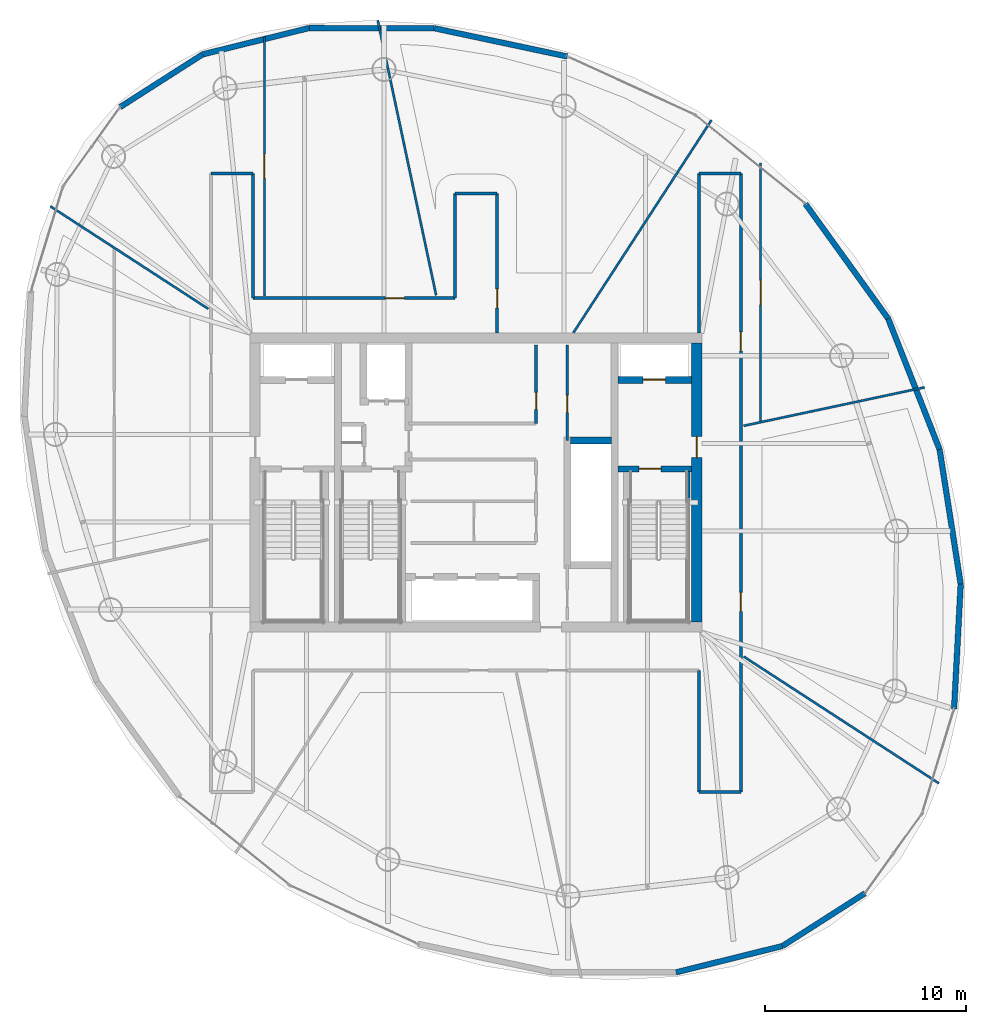
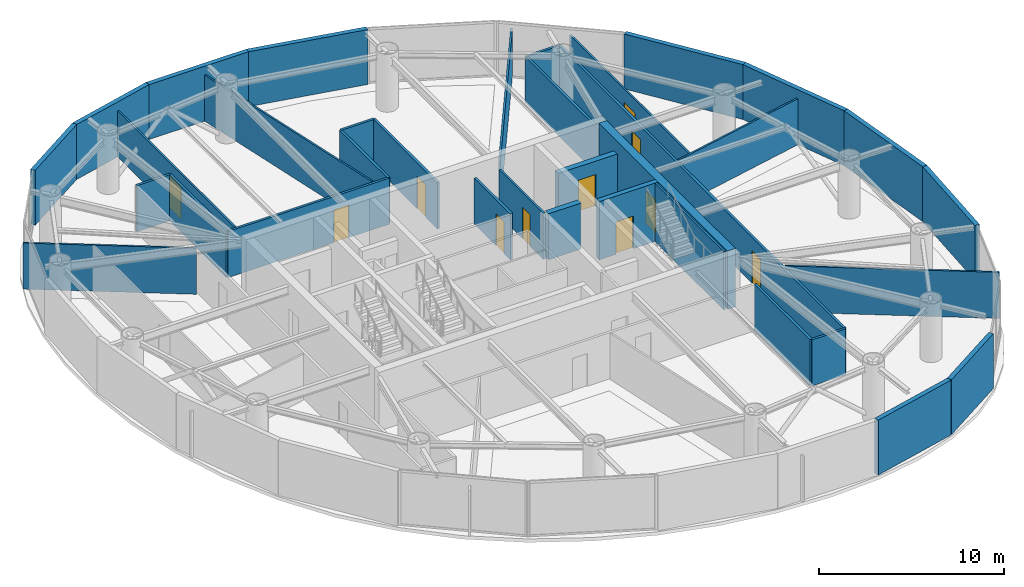
# One storey, part 14 of 19: 35 walls, 11 doors, 11 openings.
"""IFC4 building model written with IfcOpenShell, lengths in metres."""

import ifcopenshell
import ifcopenshell.guid

model = None  # the IFC model being written
_history = None  # IfcOwnerHistory: only IFC2X3 demands one
_inside = {}  # id of a spatial element -> (the spatial element, [elements in it])
_under = {}  # id of a project, library or spatial element -> (it, [spatial elements below it])
_declared = {}  # id of a project -> (the project, [libraries it declares])
_typed = {}  # id of a type object -> (the type object, [elements of that type])
_made_of = {}  # id of a material, layer set ... -> (it, [elements and type objects made of it])


def new_model(schema):
    """Start an empty IFC model of exactly this schema.

    Asked for "IFC4X3", IfcOpenShell would pick the latest addendum, in which some entities
    have other attributes; the version numbers below select the first issue.
    IFC2X3 requires an IfcOwnerHistory on every rooted entity: one is made here for all.
    """
    global model, _history
    if schema == "IFC4X3":
        model = ifcopenshell.file(schema_version=(4, 3, 0, 0))
    else:
        model = ifcopenshell.file(schema=schema)
    _inside.clear()
    _under.clear()
    _declared.clear()
    _typed.clear()
    _made_of.clear()
    _history = None
    if model.schema == "IFC2X3":
        org = make("IfcOrganization", Name="unknown")
        user = make(
            "IfcPersonAndOrganization",
            ThePerson=make("IfcPerson", FamilyName="unknown"),
            TheOrganization=org,
        )
        app = make(
            "IfcApplication",
            ApplicationDeveloper=org,
            Version="unknown",
            ApplicationFullName="unknown",
            ApplicationIdentifier="unknown",
        )
        _history = make(
            "IfcOwnerHistory",
            OwningUser=user,
            OwningApplication=app,
            ChangeAction="ADDED",
            CreationDate=0,
        )
    return model


def make(cls, **values):
    """One entity of the class cls with the attributes given. An attribute that is None is left unset."""
    return model.create_entity(
        cls, **{name: value for name, value in values.items() if value is not None}
    )


def rooted(cls, **values):
    """An entity with a GlobalId (a new one), such as an element, a storey or a relation."""
    return make(cls, GlobalId=ifcopenshell.guid.new(), OwnerHistory=_history, **values)


def si_unit(unit_type, name, prefix=None):
    """IfcSIUnit, for example si_unit("LENGTHUNIT", "METRE", prefix="MILLI")."""
    return make("IfcSIUnit", UnitType=unit_type, Prefix=prefix, Name=name)


def assignment(units):
    """IfcUnitAssignment: the units of a project."""
    return None if units is None else make("IfcUnitAssignment", Units=units)


def point(xyz):
    """IfcCartesianPoint."""
    return None if xyz is None else make("IfcCartesianPoint", Coordinates=xyz)


def direction(xyz):
    """IfcDirection."""
    return None if xyz is None else make("IfcDirection", DirectionRatios=xyz)


def frame(location, z_axis=None, x_axis=None):
    """IfcAxis2Placement3D, a coordinate frame: its origin and axes. An axis left out is left unset."""
    return make(
        "IfcAxis2Placement3D",
        Location=point(location),
        Axis=direction(z_axis),
        RefDirection=direction(x_axis),
    )


def frame_2d(location, x_axis=None):
    """IfcAxis2Placement2D, a coordinate frame in the plane: its origin and x axis."""
    return make(
        "IfcAxis2Placement2D", Location=point(location), RefDirection=direction(x_axis)
    )


def origin():
    """The frame at (0, 0, 0) with its axes left unset."""
    return frame((0.0, 0.0, 0.0))


def place(relative_to, where):
    """IfcLocalPlacement: puts the frame where relative to a parent placement (None: the world)."""
    return make(
        "IfcLocalPlacement", PlacementRelTo=relative_to, RelativePlacement=where
    )


def context(
    kind, dimensions, precision=None, world=None, true_north=None, identifier=None
):
    """IfcGeometricRepresentationContext, for example the 3D "Model" context."""
    return make(
        "IfcGeometricRepresentationContext",
        ContextIdentifier=identifier,
        ContextType=kind,
        CoordinateSpaceDimension=dimensions,
        Precision=precision,
        WorldCoordinateSystem=world,
        TrueNorth=true_north,
    )


def subcontext(parent, identifier, kind, view, scale=None):
    """IfcGeometricRepresentationSubContext, for example "Body" below "Model"."""
    return make(
        "IfcGeometricRepresentationSubContext",
        ContextIdentifier=identifier,
        ContextType=kind,
        ParentContext=parent,
        TargetScale=scale,
        TargetView=view,
    )


def project(units=None, contexts=None):
    """IfcProject with its units and contexts."""
    return rooted(
        "IfcProject",
        Name="project",
        RepresentationContexts=contexts,
        UnitsInContext=assignment(units),
    )


def spatial(cls, under=None, at=None, **own):
    """A site, building, storey or space (cls), placed at a placement, below another one or the project."""
    s = rooted(cls, ObjectPlacement=at, **own)
    if under is not None:
        _under.setdefault(under.id(), (under, []))[1].append(s)
    return s


def profile(cls, at=None, kind="AREA", **sizes):
    """A parametric profile (cls). Its sizes go by their IFC names, for example OverallWidth=200.0."""
    return make(cls, ProfileType=kind, Position=at, **sizes)


def rectangle(**sizes):
    """IfcRectangleProfileDef."""
    return profile("IfcRectangleProfileDef", **sizes)


def extrude(swept, where, along, depth):
    """IfcExtrudedAreaSolid: the profile swept, set in the frame where, extruded along a direction by depth."""
    return make(
        "IfcExtrudedAreaSolid",
        SweptArea=swept,
        Position=where,
        ExtrudedDirection=direction(along),
        Depth=depth,
    )


def shape(context_of_items, identifier, shape_type, items):
    """IfcShapeRepresentation: the items that make up one representation, for example the "Body"."""
    return make(
        "IfcShapeRepresentation",
        ContextOfItems=context_of_items,
        RepresentationIdentifier=identifier,
        RepresentationType=shape_type,
        Items=items,
    )


def material(Name=None, Category=None):
    """IfcMaterial."""
    return make("IfcMaterial", Name=Name, Category=Category)


def layer(
    of_material, thickness, ventilated=None, Name=None, Category=None, Priority=None
):
    """IfcMaterialLayer: one layer of a wall or slab, of a material (None: an air gap)."""
    return make(
        "IfcMaterialLayer",
        Material=of_material,
        LayerThickness=thickness,
        IsVentilated=ventilated,
        Name=Name,
        Category=Category,
        Priority=Priority,
    )


def layer_set(layers, Name=None):
    """IfcMaterialLayerSet."""
    return make("IfcMaterialLayerSet", MaterialLayers=layers, LayerSetName=Name)


def made_of(thing, what):
    """Note that an element or type object is made of a material, layer set ...; save() writes the relation."""
    if what is not None:
        _made_of.setdefault(what.id(), (what, []))[1].append(thing)
    return thing


def type_object(cls, material=None, **own):
    """A type object (cls), such as IfcWallType, which elements share."""
    return made_of(rooted(cls, **own), material)


def element(
    cls,
    number,
    at=None,
    inside=None,
    cuts=None,
    type_object=None,
    material=None,
    context=None,
    identifier="Body",
    shape_type=None,
    held_by="IfcProductDefinitionShape",
    body=None,
    shapes=None,
    **own,
):
    """One element of the class cls, such as IfcWall. Its Tag is "e" and its number.

    at: its placement. inside: the storey or other place that contains it. cuts: it is an
    opening in that element (IfcRelVoidsElement). A single representation is given by context,
    identifier, shape_type and body (its items); several are given by shapes. held_by: the class
    of the entity that holds the representations. save() writes the other relations.
    """
    e = rooted(cls, Tag="e%d" % number, ObjectPlacement=at, **own)
    if body is not None:
        shapes = [shape(context, identifier, shape_type, body)]
    if shapes is not None:
        e.Representation = make(held_by, Representations=shapes)
    if inside is not None:
        _inside.setdefault(inside.id(), (inside, []))[1].append(e)
    if cuts is not None:
        rooted(
            "IfcRelVoidsElement", RelatingBuildingElement=cuts, RelatedOpeningElement=e
        )
    if type_object is not None:
        _typed.setdefault(type_object.id(), (type_object, []))[1].append(e)
    return made_of(e, material)


def fill(opening, filler):
    """IfcRelFillsElement: the door or window that sits in an opening."""
    return rooted(
        "IfcRelFillsElement",
        RelatingOpeningElement=opening,
        RelatedBuildingElement=filler,
    )


def aggregate(whole, parts):
    """IfcRelAggregates: a whole, such as a stair, and the parts it consists of."""
    return rooted("IfcRelAggregates", RelatingObject=whole, RelatedObjects=parts)


def save(model, path):
    """Write the relations noted so far, then the file.

    IfcRelAggregates (storeys below a building ...), IfcRelContainedInSpatialStructure (elements
    in a storey), IfcRelDefinesByType, IfcRelAssociatesMaterial and IfcRelDeclares: one each for
    every whole, place, type object, material and project.
    """
    for whole, parts in _under.values():
        aggregate(whole, parts)
    for where, things in _inside.values():
        rooted(
            "IfcRelContainedInSpatialStructure",
            RelatedElements=things,
            RelatingStructure=where,
        )
    for kind, things in _typed.values():
        rooted("IfcRelDefinesByType", RelatedObjects=things, RelatingType=kind)
    for what, things in _made_of.values():
        rooted("IfcRelAssociatesMaterial", RelatedObjects=things, RelatingMaterial=what)
    for by, libraries in _declared.values():
        rooted("IfcRelDeclares", RelatingContext=by, RelatedDefinitions=libraries)
    model.write(path)


model = new_model("IFC4")

# Units and contexts
model_context = context("Model", 3, precision=1e-05, world=origin(), true_north=direction((0.0, 1.0)))
body_context = subcontext(model_context, "Body", "Model", "MODEL_VIEW")
ifc_project = project(units=[si_unit("LENGTHUNIT", "METRE"), si_unit("AREAUNIT", "SQUARE_METRE"), si_unit("VOLUMEUNIT", "CUBIC_METRE"), si_unit("PLANEANGLEUNIT", "RADIAN"), si_unit("MASSUNIT", "GRAM", prefix="KILO")], contexts=[model_context])

# Site, building, storey
site_placement = place(None, origin())
site = spatial("IfcSite", under=ifc_project, at=site_placement, CompositionType="ELEMENT")
building_placement = place(site_placement, origin())
building = spatial("IfcBuilding", under=site, at=building_placement, Name="Bramvorn Convention Spire", CompositionType="ELEMENT")
storey_placement = place(building_placement, frame((0.0, 0.0, 217.39990234375)))
storey = spatial("IfcBuildingStorey", under=building, at=storey_placement, Name="L55", CompositionType="ELEMENT", Elevation=217.39990234375)

# Wall, opening, door
ifc_material_1 = material(Name="Concrete C50/60", Category="concrete")
ifc_layer_1 = layer(ifc_material_1, 0.5)
ifc_layer_set_1 = layer_set([ifc_layer_1], Name="Concrete C50/60 - WL-CORE-500")
wall_type_1 = type_object("IfcWallType", Name="WL-CORE-500", PredefinedType="SHEAR", material=ifc_layer_set_1)
wall_1_placement = place(storey_placement, frame((49.0, 19.050048828125, 0.0), z_axis=(0.0, 0.0, 1.0), x_axis=(0.0, 1.0, 0.0)))
wall_1 = element("IfcWall", 1, at=wall_1_placement, inside=storey, type_object=wall_type_1, Name="L55 East RC core shear wall", PredefinedType="SHEAR", context=body_context, shape_type="SweptSolid", body=[
    extrude(rectangle(XDim=13.89990234375, YDim=0.5, at=frame_2d((6.949951171875, 0.0))), origin(), (0.0, 0.0, 1.0), 3.85009765625),
])
opening_1_placement = place(wall_1_placement, frame((8.199951171875, 0.0, 0.0)))
opening_1 = element("IfcOpeningElement", 2, at=opening_1_placement, cuts=wall_1, Name="Opening DL-105", PredefinedType="OPENING", context=body_context, shape_type="SweptSolid", body=[
    extrude(rectangle(XDim=1.050048828125, YDim=2.14990234375, at=frame_2d((0.52490234375, 1.074951171875))), frame((0.0, 0.260009765625, 0.0), z_axis=(0.0, -1.0, 0.0), x_axis=(1.0, 0.0, 0.0)), (0.0, 0.0, 1.0), 0.52001953125),
])
ifc_material_2 = material(Name="Smoke-Sealed Fire Lobby Timber-Core Door", Category="wood")
door_type_1 = type_object("IfcDoorType", Name="DR-LOBBY-1050", OperationType="NOTDEFINED", PredefinedType="DOOR", material=ifc_material_2)
door_1_placement = place(opening_1_placement, origin())
door_1 = element("IfcDoor", 3, at=door_1_placement, inside=storey, type_object=door_type_1, Name="L55 East Firefighting Lobby corridor door", OperationType="SINGLE_SWING_LEFT", OverallHeight=2.14990234375, OverallWidth=1.050048828125, PredefinedType="DOOR", context=body_context, shape_type="SweptSolid", body=[
    extrude(rectangle(XDim=1.050048828125, YDim=2.14990234375, at=frame_2d((0.52490234375, 1.074951171875))), frame((0.0, 0.02490234375, 0.0), z_axis=(0.0, -1.0, 0.0), x_axis=(1.0, 0.0, 0.0)), (0.0, 0.0, 1.0), 0.050048828125),
])
fill(opening_1, door_1)

ifc_layer_2 = layer(ifc_material_1, 0.35009765625)
ifc_layer_set_2 = layer_set([ifc_layer_2], Name="Concrete C50/60 - WL-CORE-INT-350")
wall_type_2 = type_object("IfcWallType", Name="WL-CORE-INT-350", PredefinedType="SHEAR", material=ifc_layer_set_2)
wall_2_placement = place(storey_placement, frame((45.080078125, 31.1201171875, 0.0), z_axis=(0.0, 0.0, 1.0), x_axis=(1.0, 0.0, 0.0)))
wall_2 = element("IfcWall", 4, at=wall_2_placement, inside=storey, type_object=wall_type_2, Name="L55 FE2 shaft front wall", PredefinedType="SHEAR", context=body_context, shape_type="SweptSolid", body=[
    extrude(rectangle(XDim=3.669921875, YDim=0.35009765625, at=frame_2d((1.8349609375, 0.0))), origin(), (0.0, 0.0, 1.0), 3.03515625),
])
opening_2_placement = place(wall_2_placement, frame((1.25, 0.0, 0.0)))
opening_2 = element("IfcOpeningElement", 5, at=opening_2_placement, cuts=wall_2, Name="Opening LD-110", PredefinedType="OPENING", context=body_context, shape_type="SweptSolid", body=[
    extrude(rectangle(XDim=1.10009765625, YDim=2.14990234375, at=frame_2d((0.550048828125, 1.074951171875))), frame((0.0, 0.18505859375, 0.0), z_axis=(0.0, -1.0, 0.0), x_axis=(1.0, 0.0, 0.0)), (0.0, 0.0, 1.0), 0.3701171875),
])
ifc_material_3 = material(Name="Firefighting & Service Lift Sliding Landing Door", Category="steel")
door_type_2 = type_object("IfcDoorType", Name="DR-LIFT-LD-1100", OperationType="NOTDEFINED", PredefinedType="DOOR", material=ifc_material_3)
door_2_placement = place(opening_2_placement, origin())
door_2 = element("IfcDoor", 6, at=door_2_placement, inside=storey, type_object=door_type_2, Name="L55 Lift FE2 Sliding Landing Door", OperationType="SLIDING_TO_LEFT", OverallHeight=2.14990234375, OverallWidth=1.10009765625, PredefinedType="DOOR", context=body_context, shape_type="SweptSolid", body=[
    extrude(rectangle(XDim=1.10009765625, YDim=2.14990234375, at=frame_2d((0.550048828125, 1.074951171875))), frame((0.0, 0.02490234375, 0.0), z_axis=(0.0, -1.0, 0.0), x_axis=(1.0, 0.0, 0.0)), (0.0, 0.0, 1.0), 0.050048828125),
])
fill(opening_2, door_2)

# Walls
wall_3_placement = place(storey_placement, frame((42.719970703125, 28.10009765625, 0.0), z_axis=(0.0, 0.0, 1.0), x_axis=(1.0, 0.0, 0.0)))
element("IfcWall", 7, at=wall_3_placement, inside=storey, type_object=wall_type_2, Name="L55 High-rise lift bank north wall", PredefinedType="SHEAR", context=body_context, shape_type="SweptSolid", body=[
    extrude(rectangle(XDim=2.030029296875, YDim=0.35009765625, at=frame_2d((1.01513671875, 0.0))), origin(), (0.0, 0.0, 1.0), 3.03515625),
])
ifc_material_4 = material(Name="Precast Concrete C40/50 with Bronze Terracotta Rainscreen", Category="masonry")
ifc_layer_3 = layer(ifc_material_4, 0.300048828125)
ifc_layer_set_3 = layer_set([ifc_layer_3], Name="Precast Concrete C40/50 with Bronze Terracotta Rainscreen - WL-EXT-BRONZE-300")
wall_type_3 = type_object("IfcWallType", Name="WL-EXT-BRONZE-300", PredefinedType="SOLIDWALL", material=ifc_layer_set_3)
wall_4_placement = place(storey_placement, frame((62.150634765625, 20.9462890625, 0.0), z_axis=(0.0, 0.0, 1.0), x_axis=(-0.052818148449, -0.998604147395, 0.0)))
element("IfcWall", 8, at=wall_4_placement, inside=storey, type_object=wall_type_3, Name="L55 expressed bronze Gothic lancet pier wall 03", PredefinedType="SOLIDWALL", context=body_context, shape_type="SweptSolid", body=[
    extrude(rectangle(XDim=6.226318359375, YDim=0.280029296875, at=frame_2d((3.11328125, 0.0))), origin(), (0.0, 0.0, 1.0), 3.6201171875),
])
wall_5_placement = place(storey_placement, frame((61.101318359375, 27.6494140625, 0.0), z_axis=(0.0, 0.0, 1.0), x_axis=(0.154657882949, -0.987968086145, 0.0)))
element("IfcWall", 9, at=wall_5_placement, inside=storey, type_object=wall_type_3, Name="L55 expressed bronze Gothic lancet pier wall 04", PredefinedType="SOLIDWALL", context=body_context, shape_type="SweptSolid", body=[
    extrude(rectangle(XDim=6.78466796875, YDim=0.280029296875, at=frame_2d((3.392333984375, 0.0))), origin(), (0.0, 0.0, 1.0), 3.6201171875),
])
wall_6_placement = place(storey_placement, frame((58.533935546875, 34.180419921875, 0.0), z_axis=(0.0, 0.0, 1.0), x_axis=(0.365853647231, -0.930672396071, 0.0)))
element("IfcWall", 10, at=wall_6_placement, inside=storey, type_object=wall_type_3, Name="L55 expressed bronze Gothic lancet pier wall 05", PredefinedType="SOLIDWALL", context=body_context, shape_type="SweptSolid", body=[
    extrude(rectangle(XDim=7.017578125, YDim=0.280029296875, at=frame_2d((3.5087890625, 0.0))), origin(), (0.0, 0.0, 1.0), 3.6201171875),
])
wall_7_placement = place(storey_placement, frame((54.412109375, 39.89453125, 0.0), z_axis=(0.0, 0.0, 1.0), x_axis=(0.585021079156, -0.811018086693, 0.0)))
element("IfcWall", 11, at=wall_7_placement, inside=storey, type_object=wall_type_3, Name="L55 expressed bronze Gothic lancet pier wall 06", PredefinedType="SOLIDWALL", context=body_context, shape_type="SweptSolid", body=[
    extrude(rectangle(XDim=7.045654296875, YDim=0.280029296875, at=frame_2d((3.52294921875, 0.0))), origin(), (0.0, 0.0, 1.0), 3.6201171875),
])
wall_8_placement = place(storey_placement, frame((35.910400390625, 48.646240234375, 0.0), z_axis=(0.0, 0.0, 1.0), x_axis=(0.978160131295, -0.207852730423, 0.0)))
element("IfcWall", 12, at=wall_8_placement, inside=storey, type_object=wall_type_3, Name="L55 expressed bronze Gothic lancet pier wall 09", PredefinedType="SOLIDWALL", context=body_context, shape_type="SweptSolid", body=[
    extrude(rectangle(XDim=6.784423828125, YDim=0.280029296875, at=frame_2d((3.39208984375, 0.0))), origin(), (0.0, 0.0, 1.0), 3.6201171875),
])
wall_9_placement = place(storey_placement, frame((29.683837890625, 48.654052734375, 0.0), z_axis=(0.0, 0.0, 1.0), x_axis=(0.999999212858, -0.001254704157, 0.0)))
element("IfcWall", 13, at=wall_9_placement, inside=storey, type_object=wall_type_3, Name="L55 expressed bronze Gothic lancet pier wall 10", PredefinedType="SOLIDWALL", context=body_context, shape_type="SweptSolid", body=[
    extrude(rectangle(XDim=6.2265625, YDim=0.280029296875, at=frame_2d((3.11328125, 0.0))), origin(), (0.0, 0.0, 1.0), 3.6201171875),
])
wall_10_placement = place(storey_placement, frame((24.37939453125, 47.341552734375, 0.0), z_axis=(0.0, 0.0, 1.0), x_axis=(0.970725742069, 0.240190619476, 0.0)))
element("IfcWall", 14, at=wall_10_placement, inside=storey, type_object=wall_type_3, Name="L55 expressed bronze Gothic lancet pier wall 11", PredefinedType="SOLIDWALL", context=body_context, shape_type="SweptSolid", body=[
    extrude(rectangle(XDim=5.46435546875, YDim=0.280029296875, at=frame_2d((2.732177734375, 0.0))), origin(), (0.0, 0.0, 1.0), 3.6201171875),
])
wall_11_placement = place(storey_placement, frame((20.2705078125, 44.715576171875, 0.0), z_axis=(0.0, 0.0, 1.0), x_axis=(0.842616747997, 0.538513710128, 0.0)))
element("IfcWall", 15, at=wall_11_placement, inside=storey, type_object=wall_type_3, Name="L55 expressed bronze Gothic lancet pier wall 12", PredefinedType="SOLIDWALL", context=body_context, shape_type="SweptSolid", body=[
    extrude(rectangle(XDim=4.876220703125, YDim=0.280029296875, at=frame_2d((2.43798828125, 0.0))), origin(), (0.0, 0.0, 1.0), 3.6201171875),
])
wall_12_placement = place(storey_placement, frame((53.271240234375, 2.916015625, 0.0), z_axis=(0.0, 0.0, 1.0), x_axis=(-0.970738734946, -0.240138102924, 0.0)))
element("IfcWall", 16, at=wall_12_placement, inside=storey, type_object=wall_type_3, Name="L55 expressed bronze Gothic lancet pier wall 23", PredefinedType="SOLIDWALL", context=body_context, shape_type="SweptSolid", body=[
    extrude(rectangle(XDim=5.464599609375, YDim=0.280029296875, at=frame_2d((2.732421875, 0.0))), origin(), (0.0, 0.0, 1.0), 3.6201171875),
])
wall_13_placement = place(storey_placement, frame((57.3798828125, 5.5419921875, 0.0), z_axis=(0.0, 0.0, 1.0), x_axis=(-0.842602227984, -0.538536429033, 0.0)))
element("IfcWall", 17, at=wall_13_placement, inside=storey, type_object=wall_type_3, Name="L55 expressed bronze Gothic lancet pier wall 24", PredefinedType="SOLIDWALL", context=body_context, shape_type="SweptSolid", body=[
    extrude(rectangle(XDim=4.876220703125, YDim=0.280029296875, at=frame_2d((2.43798828125, 0.0))), origin(), (0.0, 0.0, 1.0), 3.6201171875),
])
ifc_material_5 = material(Name="Lightweight En-Suite & Wet-Wall Partition", Category="gypsum")
ifc_layer_4 = layer(ifc_material_5, 0.110107421875)
ifc_layer_set_4 = layer_set([ifc_layer_4], Name="Lightweight En-Suite & Wet-Wall Partition - WL-PART-110")
wall_type_4 = type_object("IfcWallType", Name="WL-PART-110", PredefinedType="PARTITIONING", material=ifc_layer_set_4)
wall_14_placement = place(storey_placement, frame((51.340087890625, 28.83544921875, 0.0), z_axis=(0.0, 0.0, 1.0), x_axis=(0.978142366877, 0.207936312655, 0.0)))
element("IfcWall", 18, at=wall_14_placement, inside=storey, type_object=wall_type_4, Name="L55 Tenant suite partition 1", PredefinedType="PARTITIONING", context=body_context, shape_type="SweptSolid", body=[
    extrude(rectangle(XDim=9.223876953125, YDim=0.110107421875, at=frame_2d((4.61181640625, 0.0))), origin(), (0.0, 0.0, 1.0), 3.03515625),
])
wall_15_placement = place(storey_placement, frame((42.85107421875, 33.469970703125, 0.0), z_axis=(0.0, 0.0, 1.0), x_axis=(0.544631367438, 0.838675547278, 0.0)))
element("IfcWall", 19, at=wall_15_placement, inside=storey, type_object=wall_type_4, Name="L55 Tenant suite partition 2", PredefinedType="PARTITIONING", context=body_context, shape_type="SweptSolid", body=[
    extrude(rectangle(XDim=12.64599609375, YDim=0.110107421875, at=frame_2d((6.322998046875, 0.0))), origin(), (0.0, 0.0, 1.0), 3.03515625),
])
wall_16_placement = place(storey_placement, frame((36.0146484375, 35.340087890625, 0.0), z_axis=(0.0, 0.0, 1.0), x_axis=(-0.207905443256, 0.978148928673, 0.0)))
element("IfcWall", 20, at=wall_16_placement, inside=storey, type_object=wall_type_4, Name="L55 Tenant suite partition 3", PredefinedType="PARTITIONING", context=body_context, shape_type="SweptSolid", body=[
    extrude(rectangle(XDim=14.00927734375, YDim=0.110107421875, at=frame_2d((7.004638671875, 0.0))), origin(), (0.0, 0.0, 1.0), 3.03515625),
])
wall_17_placement = place(storey_placement, frame((24.659912109375, 34.6630859375, 0.0), z_axis=(0.0, 0.0, 1.0), x_axis=(-0.838674027819, 0.54463370724, 0.0)))
element("IfcWall", 21, at=wall_17_placement, inside=storey, type_object=wall_type_4, Name="L55 Tenant suite partition 4", PredefinedType="PARTITIONING", context=body_context, shape_type="SweptSolid", body=[
    extrude(rectangle(XDim=9.389892578125, YDim=0.110107421875, at=frame_2d((4.69482421875, 0.0))), origin(), (0.0, 0.0, 1.0), 3.03515625),
])
wall_18_placement = place(storey_placement, frame((51.340087890625, 17.3369140625, 0.0), z_axis=(0.0, 0.0, 1.0), x_axis=(0.838666550767, -0.544645220877, 0.0)))
element("IfcWall", 22, at=wall_18_placement, inside=storey, type_object=wall_type_4, Name="L55 Tenant suite partition 8", PredefinedType="PARTITIONING", context=body_context, shape_type="SweptSolid", body=[
    extrude(rectangle(XDim=11.605712890625, YDim=0.110107421875, at=frame_2d((5.802734375, 0.0))), origin(), (0.0, 0.0, 1.0), 3.03515625),
])

# Wall, opening, door
wall_19_placement = place(storey_placement, frame((52.1767578125, 29.03125, 0.0), z_axis=(0.0, 0.0, 1.0), x_axis=(0.0, 1.0, 0.0)))
wall_19 = element("IfcWall", 23, at=wall_19_placement, inside=storey, type_object=wall_type_4, Name="L55 Partner Office Chamber 1 inner suite partition", PredefinedType="PARTITIONING", context=body_context, shape_type="SweptSolid", body=[
    extrude(rectangle(XDim=12.894287109375, YDim=0.110107421875, at=frame_2d((6.447265625, 0.0))), origin(), (0.0, 0.0, 1.0), 3.03515625),
])
opening_3_placement = place(wall_19_placement, frame((5.84716796875, 0.0, 0.0)))
opening_3 = element("IfcOpeningElement", 24, at=opening_3_placement, cuts=wall_19, Name="Opening DSL-12", PredefinedType="OPENING", context=body_context, shape_type="SweptSolid", body=[
    extrude(rectangle(XDim=1.199951171875, YDim=2.14990234375, at=frame_2d((0.60009765625, 1.074951171875))), frame((0.0, 0.06494140625, 0.0), z_axis=(0.0, -1.0, 0.0), x_axis=(1.0, 0.0, 0.0)), (0.0, 0.0, 1.0), 0.130126953125),
])
ifc_material_6 = material(Name="Pocket Sliding Bronze-Framed Glass Suite Door", Category="glass")
door_type_3 = type_object("IfcDoorType", Name="DR-SLIDE-1200", OperationType="NOTDEFINED", PredefinedType="DOOR", material=ifc_material_6)
door_3_placement = place(opening_3_placement, origin())
door_3 = element("IfcDoor", 25, at=door_3_placement, inside=storey, type_object=door_type_3, Name="L55 Inner Suite 1 door", OperationType="SLIDING_TO_RIGHT", OverallHeight=2.14990234375, OverallWidth=1.199951171875, PredefinedType="DOOR", context=body_context, shape_type="SweptSolid", body=[
    extrude(rectangle(XDim=1.199951171875, YDim=2.14990234375, at=frame_2d((0.60009765625, 1.074951171875))), frame((0.0, 0.02490234375, 0.0), z_axis=(0.0, -1.0, 0.0), x_axis=(1.0, 0.0, 0.0)), (0.0, 0.0, 1.0), 0.050048828125),
])
fill(opening_3, door_3)

wall_20_placement = place(storey_placement, frame((27.461181640625, 35.300048828125, 0.0), z_axis=(0.0, 0.0, 1.0), x_axis=(0.0, 1.0, 0.0)))
wall_20 = element("IfcWall", 26, at=wall_20_placement, inside=storey, type_object=wall_type_4, Name="L55 Partner Office Chamber 3 inner suite partition", PredefinedType="PARTITIONING", context=body_context, shape_type="SweptSolid", body=[
    extrude(rectangle(XDim=12.94189453125, YDim=0.110107421875, at=frame_2d((6.470947265625, 0.0))), origin(), (0.0, 0.0, 1.0), 3.03515625),
])
opening_4_placement = place(wall_20_placement, frame((5.870849609375, 0.0, 0.0)))
opening_4 = element("IfcOpeningElement", 27, at=opening_4_placement, cuts=wall_20, Name="Opening DSL-12", PredefinedType="OPENING", context=body_context, shape_type="SweptSolid", body=[
    extrude(rectangle(XDim=1.199951171875, YDim=2.14990234375, at=frame_2d((0.60009765625, 1.074951171875))), frame((0.0, 0.06494140625, 0.0), z_axis=(0.0, -1.0, 0.0), x_axis=(1.0, 0.0, 0.0)), (0.0, 0.0, 1.0), 0.130126953125),
])
door_4_placement = place(opening_4_placement, origin())
door_4 = element("IfcDoor", 28, at=door_4_placement, inside=storey, type_object=door_type_3, Name="L55 Inner Suite 3 door", OperationType="SLIDING_TO_RIGHT", OverallHeight=2.14990234375, OverallWidth=1.199951171875, PredefinedType="DOOR", context=body_context, shape_type="SweptSolid", body=[
    extrude(rectangle(XDim=1.199951171875, YDim=2.14990234375, at=frame_2d((0.60009765625, 1.074951171875))), frame((0.0, 0.02490234375, 0.0), z_axis=(0.0, -1.0, 0.0), x_axis=(1.0, 0.0, 0.0)), (0.0, 0.0, 1.0), 0.050048828125),
])
fill(opening_4, door_4)

ifc_material_7 = material(Name="Metal-Stud Demountable Office Partition", Category="gypsum")
ifc_layer_5 = layer(ifc_material_7, 0.1298828125)
ifc_layer_set_5 = layer_set([ifc_layer_5], Name="Metal-Stud Demountable Office Partition - WL-PART-130")
wall_type_5 = type_object("IfcWallType", Name="WL-PART-130", PredefinedType="PARTITIONING", material=ifc_layer_set_5)
wall_21_placement = place(storey_placement, frame((42.550048828125, 28.10009765625, 0.0), z_axis=(0.0, 0.0, 1.0), x_axis=(0.0, 1.0, 0.0)))
wall_21 = element("IfcWall", 29, at=wall_21_placement, inside=storey, type_object=wall_type_5, Name="L55 KA NE IDF wall", PredefinedType="PARTITIONING", context=body_context, shape_type="SweptSolid", body=[
    extrude(rectangle(XDim=4.75, YDim=0.1298828125, at=frame_2d((2.375, 0.0))), origin(), (0.0, 0.0, 1.0), 3.03515625),
])
opening_5_placement = place(wall_21_placement, frame((1.39990234375, 0.0, 0.0)))
opening_5 = element("IfcOpeningElement", 30, at=opening_5_placement, cuts=wall_21, Name="Opening DC-085", PredefinedType="OPENING", context=body_context, shape_type="SweptSolid", body=[
    extrude(rectangle(XDim=0.85009765625, YDim=2.10009765625, at=frame_2d((0.425048828125, 1.050048828125))), frame((0.0, 0.074951171875, 0.0), z_axis=(0.0, -1.0, 0.0), x_axis=(1.0, 0.0, 0.0)), (0.0, 0.0, 1.0), 0.14990234375),
])
ifc_material_8 = material(Name="Fire-Rated Core Washroom & IDF Door", Category="wood")
door_type_4 = type_object("IfcDoorType", Name="DR-CORE-850", OperationType="NOTDEFINED", PredefinedType="DOOR", material=ifc_material_8)
door_5_placement = place(opening_5_placement, origin())
door_5 = element("IfcDoor", 31, at=door_5_placement, inside=storey, type_object=door_type_4, Name="L55 Core IDF & BMS Room door", OperationType="SINGLE_SWING_LEFT", OverallHeight=2.10009765625, OverallWidth=0.85009765625, PredefinedType="DOOR", context=body_context, shape_type="SweptSolid", body=[
    extrude(rectangle(XDim=0.85009765625, YDim=2.10009765625, at=frame_2d((0.425048828125, 1.050048828125))), frame((0.0, 0.02490234375, 0.0), z_axis=(0.0, -1.0, 0.0), x_axis=(1.0, 0.0, 0.0)), (0.0, 0.0, 1.0), 0.050048828125),
])
fill(opening_5, door_5)

ifc_material_9 = material(Name="Acoustic Metal-Stud Tenant/Corridor Partition", Category="gypsum")
ifc_layer_6 = layer(ifc_material_9, 0.14990234375)
ifc_layer_set_6 = layer_set([ifc_layer_6], Name="Acoustic Metal-Stud Tenant/Corridor Partition - WL-PART-150")
wall_type_6 = type_object("IfcWallType", Name="WL-PART-150", PredefinedType="PARTITIONING", material=ifc_layer_set_6)
wall_22_placement = place(storey_placement, frame((41.0, 28.949951171875, 0.0), z_axis=(0.0, 0.0, 1.0), x_axis=(0.0, 1.0, 0.0)))
wall_22 = element("IfcWall", 32, at=wall_22_placement, inside=storey, type_object=wall_type_6, Name="L55 Freed north shaft room wall", PredefinedType="PARTITIONING", context=body_context, shape_type="SweptSolid", body=[
    extrude(rectangle(XDim=3.900146484375, YDim=0.14990234375, at=frame_2d((1.9501953125, 0.0))), origin(), (0.0, 0.0, 1.0), 3.03515625),
])
opening_6_placement = place(wall_22_placement, frame((0.699951171875, 0.0, 0.0)))
opening_6 = element("IfcOpeningElement", 33, at=opening_6_placement, cuts=wall_22, Name="Opening DC-085", PredefinedType="OPENING", context=body_context, shape_type="SweptSolid", body=[
    extrude(rectangle(XDim=0.85009765625, YDim=2.10009765625, at=frame_2d((0.425048828125, 1.050048828125))), frame((0.0, 0.0849609375, 0.0), z_axis=(0.0, -1.0, 0.0), x_axis=(1.0, 0.0, 0.0)), (0.0, 0.0, 1.0), 0.169921875),
])
door_6_placement = place(opening_6_placement, origin())
door_6 = element("IfcDoor", 34, at=door_6_placement, inside=storey, type_object=door_type_4, Name="L55 North core archive door", OperationType="SINGLE_SWING_LEFT", OverallHeight=2.10009765625, OverallWidth=0.85009765625, PredefinedType="DOOR", context=body_context, shape_type="SweptSolid", body=[
    extrude(rectangle(XDim=0.85009765625, YDim=2.10009765625, at=frame_2d((0.425048828125, 1.050048828125))), frame((0.0, 0.02490234375, 0.0), z_axis=(0.0, -1.0, 0.0), x_axis=(1.0, 0.0, 0.0)), (0.0, 0.0, 1.0), 0.050048828125),
])
fill(opening_6, door_6)

wall_23_placement = place(storey_placement, frame((26.89990234375, 35.199951171875, 0.0), z_axis=(0.0, 0.0, 1.0), x_axis=(1.0, 0.0, 0.0)))
wall_23 = element("IfcWall", 35, at=wall_23_placement, inside=storey, type_object=wall_type_6, Name="L55 North-west spur link wall", PredefinedType="PARTITIONING", context=body_context, shape_type="SweptSolid", body=[
    extrude(rectangle(XDim=10.050048828125, YDim=0.14990234375, at=frame_2d((5.02490234375, 0.0))), origin(), (0.0, 0.0, 1.0), 3.03515625),
])
opening_7_placement = place(wall_23_placement, frame((6.586669921875, 0.0, 0.0)))
opening_7 = element("IfcOpeningElement", 36, at=opening_7_placement, cuts=wall_23, Name="Opening DH-095", PredefinedType="OPENING", context=body_context, shape_type="SweptSolid", body=[
    extrude(rectangle(XDim=0.949951171875, YDim=2.14990234375, at=frame_2d((0.47509765625, 1.074951171875))), frame((0.0, 0.0849609375, 0.0), z_axis=(0.0, -1.0, 0.0), x_axis=(1.0, 0.0, 0.0)), (0.0, 0.0, 1.0), 0.169921875),
])
ifc_material_10 = material(Name="Solid-Core Acoustic Guestroom Entry Door", Category="wood")
door_type_5 = type_object("IfcDoorType", Name="DR-HOTEL-950", OperationType="NOTDEFINED", PredefinedType="DOOR", material=ifc_material_10)
door_7_placement = place(opening_7_placement, origin())
door_7 = element("IfcDoor", 37, at=door_7_placement, inside=storey, type_object=door_type_5, Name="L55 Partner Office Chamber 3 3 door", OperationType="SINGLE_SWING_RIGHT", OverallHeight=2.14990234375, OverallWidth=0.949951171875, PredefinedType="DOOR", context=body_context, shape_type="SweptSolid", body=[
    extrude(rectangle(XDim=0.949951171875, YDim=2.14990234375, at=frame_2d((0.47509765625, 1.074951171875))), frame((0.0, 0.02490234375, 0.0), z_axis=(0.0, -1.0, 0.0), x_axis=(1.0, 0.0, 0.0)), (0.0, 0.0, 1.0), 0.050048828125),
])
fill(opening_7, door_7)

# Walls
wall_24_placement = place(storey_placement, frame((26.89990234375, 35.199951171875, 0.0), z_axis=(0.0, 0.0, 1.0), x_axis=(0.0, 1.0, 0.0)))
element("IfcWall", 38, at=wall_24_placement, inside=storey, type_object=wall_type_6, Name="L55 West gallery NE wall", PredefinedType="PARTITIONING", context=body_context, shape_type="SweptSolid", body=[
    extrude(rectangle(XDim=6.199951171875, YDim=0.14990234375, at=frame_2d((3.10009765625, 0.0))), origin(), (0.0, 0.0, 1.0), 3.03515625),
])
wall_25_placement = place(storey_placement, frame((24.800048828125, 41.39990234375, 0.0), z_axis=(0.0, 0.0, 1.0), x_axis=(1.0, 0.0, 0.0)))
element("IfcWall", 39, at=wall_25_placement, inside=storey, type_object=wall_type_6, Name="L55 West gallery north end", PredefinedType="PARTITIONING", context=body_context, shape_type="SweptSolid", body=[
    extrude(rectangle(XDim=2.099853515625, YDim=0.14990234375, at=frame_2d((1.0498046875, 0.0))), origin(), (0.0, 0.0, 1.0), 3.03515625),
])

# Wall, openings, doors
wall_26_placement = place(storey_placement, frame((51.199951171875, 10.60009765625, 0.0), z_axis=(0.0, 0.0, 1.0), x_axis=(0.0, 1.0, 0.0)))
wall_26 = element("IfcWall", 40, at=wall_26_placement, inside=storey, type_object=wall_type_6, Name="L55 East N-S gallery outer wall", PredefinedType="PARTITIONING", context=body_context, shape_type="SweptSolid", body=[
    extrude(rectangle(XDim=30.7998046875, YDim=0.14990234375, at=frame_2d((15.39990234375, 0.0))), origin(), (0.0, 0.0, 1.0), 3.03515625),
])
opening_8_placement = place(wall_26_placement, frame((21.96240234375, 0.0, 0.0)))
opening_8 = element("IfcOpeningElement", 41, at=opening_8_placement, cuts=wall_26, Name="Opening DH-095", PredefinedType="OPENING", context=body_context, shape_type="SweptSolid", body=[
    extrude(rectangle(XDim=0.949951171875, YDim=2.14990234375, at=frame_2d((0.47509765625, 1.074951171875))), frame((0.0, 0.0849609375, 0.0), z_axis=(0.0, -1.0, 0.0), x_axis=(1.0, 0.0, 0.0)), (0.0, 0.0, 1.0), 0.169921875),
])
opening_9_placement = place(wall_26_placement, frame((8.99169921875, 0.0, 0.0)))
opening_9 = element("IfcOpeningElement", 42, at=opening_9_placement, cuts=wall_26, Name="Opening DH-095", PredefinedType="OPENING", context=body_context, shape_type="SweptSolid", body=[
    extrude(rectangle(XDim=0.949951171875, YDim=2.14990234375, at=frame_2d((0.47509765625, 1.074951171875))), frame((0.0, 0.0849609375, 0.0), z_axis=(0.0, -1.0, 0.0), x_axis=(1.0, 0.0, 0.0)), (0.0, 0.0, 1.0), 0.169921875),
])
door_8_placement = place(opening_8_placement, origin())
door_8 = element("IfcDoor", 43, at=door_8_placement, inside=storey, type_object=door_type_5, Name="L55 Partner Office Chamber 1 1 door", OperationType="SINGLE_SWING_LEFT", OverallHeight=2.14990234375, OverallWidth=0.949951171875, PredefinedType="DOOR", context=body_context, shape_type="SweptSolid", body=[
    extrude(rectangle(XDim=0.949951171875, YDim=2.14990234375, at=frame_2d((0.47509765625, 1.074951171875))), frame((0.0, 0.02490234375, 0.0), z_axis=(0.0, -1.0, 0.0), x_axis=(1.0, 0.0, 0.0)), (0.0, 0.0, 1.0), 0.050048828125),
])
fill(opening_8, door_8)
door_9_placement = place(opening_9_placement, origin())
door_9 = element("IfcDoor", 44, at=door_9_placement, inside=storey, type_object=door_type_5, Name="L55 Deposition Meeting Room 2 8 door", OperationType="SINGLE_SWING_LEFT", OverallHeight=2.14990234375, OverallWidth=0.949951171875, PredefinedType="DOOR", context=body_context, shape_type="SweptSolid", body=[
    extrude(rectangle(XDim=0.949951171875, YDim=2.14990234375, at=frame_2d((0.47509765625, 1.074951171875))), frame((0.0, 0.02490234375, 0.0), z_axis=(0.0, -1.0, 0.0), x_axis=(1.0, 0.0, 0.0)), (0.0, 0.0, 1.0), 0.050048828125),
])
fill(opening_9, door_9)

# Walls
wall_27_placement = place(storey_placement, frame((49.10009765625, 10.60009765625, 0.0), z_axis=(0.0, 0.0, 1.0), x_axis=(0.0, 1.0, 0.0)))
element("IfcWall", 45, at=wall_27_placement, inside=storey, type_object=wall_type_6, Name="L55 East gallery SW wall", PredefinedType="PARTITIONING", context=body_context, shape_type="SweptSolid", body=[
    extrude(rectangle(XDim=6.0498046875, YDim=0.14990234375, at=frame_2d((3.02490234375, 0.0))), origin(), (0.0, 0.0, 1.0), 3.03515625),
])
wall_28_placement = place(storey_placement, frame((49.10009765625, 33.449951171875, 0.0), z_axis=(0.0, 0.0, 1.0), x_axis=(0.0, 1.0, 0.0)))
element("IfcWall", 46, at=wall_28_placement, inside=storey, type_object=wall_type_6, Name="L55 East gallery NW wall", PredefinedType="PARTITIONING", context=body_context, shape_type="SweptSolid", body=[
    extrude(rectangle(XDim=7.949951171875, YDim=0.14990234375, at=frame_2d((3.97509765625, 0.0))), origin(), (0.0, 0.0, 1.0), 3.03515625),
])
for number, where, z_axis, x_axis, name in (
    (47, (49.10009765625, 10.60009765625, 0.0), (0.0, 0.0, 1.0), (1.0, 0.0, 0.0), "L55 East gallery south end"),
    (48, (49.10009765625, 41.39990234375, 0.0), (0.0, 0.0, 1.0), (1.0, 0.0, 0.0), "L55 East gallery north end"),
):
    element("IfcWall", number, at=place(storey_placement, frame(where, z_axis=z_axis, x_axis=x_axis)), inside=storey, type_object=wall_type_6, Name=name, PredefinedType="PARTITIONING", context=body_context, shape_type="SweptSolid", body=[
        extrude(rectangle(XDim=2.099853515625, YDim=0.14990234375, at=frame_2d((1.0498046875, 0.0))), origin(), (0.0, 0.0, 1.0), 3.03515625),
    ])
wall_29_placement = place(storey_placement, frame((36.949951171875, 35.199951171875, 0.0), z_axis=(0.0, 0.0, 1.0), x_axis=(0.0, 1.0, 0.0)))
element("IfcWall", 49, at=wall_29_placement, inside=storey, type_object=wall_type_6, Name="L55 North spur west wall", PredefinedType="PARTITIONING", context=body_context, shape_type="SweptSolid", body=[
    extrude(rectangle(XDim=5.199951171875, YDim=0.14990234375, at=frame_2d((2.60009765625, 0.0))), origin(), (0.0, 0.0, 1.0), 3.03515625),
])

# Wall, opening, door
wall_30_placement = place(storey_placement, frame((39.050048828125, 33.449951171875, 0.0), z_axis=(0.0, 0.0, 1.0), x_axis=(0.0, 1.0, 0.0)))
wall_30 = element("IfcWall", 50, at=wall_30_placement, inside=storey, type_object=wall_type_6, Name="L55 North spur east wall", PredefinedType="PARTITIONING", context=body_context, shape_type="SweptSolid", body=[
    extrude(rectangle(XDim=6.949951171875, YDim=0.14990234375, at=frame_2d((3.47509765625, 0.0))), origin(), (0.0, 0.0, 1.0), 3.03515625),
])
opening_10_placement = place(wall_30_placement, frame((1.262451171875, 0.0, 0.0)))
opening_10 = element("IfcOpeningElement", 51, at=opening_10_placement, cuts=wall_30, Name="Opening DH-095", PredefinedType="OPENING", context=body_context, shape_type="SweptSolid", body=[
    extrude(rectangle(XDim=0.949951171875, YDim=2.14990234375, at=frame_2d((0.47509765625, 1.074951171875))), frame((0.0, 0.0849609375, 0.0), z_axis=(0.0, -1.0, 0.0), x_axis=(1.0, 0.0, 0.0)), (0.0, 0.0, 1.0), 0.169921875),
])
door_10_placement = place(opening_10_placement, origin())
door_10 = element("IfcDoor", 52, at=door_10_placement, inside=storey, type_object=door_type_5, Name="L55 Partner Office Chamber 2 2 door", OperationType="SINGLE_SWING_RIGHT", OverallHeight=2.14990234375, OverallWidth=0.949951171875, PredefinedType="DOOR", context=body_context, shape_type="SweptSolid", body=[
    extrude(rectangle(XDim=0.949951171875, YDim=2.14990234375, at=frame_2d((0.47509765625, 1.074951171875))), frame((0.0, 0.02490234375, 0.0), z_axis=(0.0, -1.0, 0.0), x_axis=(1.0, 0.0, 0.0)), (0.0, 0.0, 1.0), 0.050048828125),
])
fill(opening_10, door_10)

# Wall
wall_31_placement = place(storey_placement, frame((36.949951171875, 40.39990234375, 0.0), z_axis=(0.0, 0.0, 1.0), x_axis=(1.0, 0.0, 0.0)))
element("IfcWall", 53, at=wall_31_placement, inside=storey, type_object=wall_type_6, Name="L55 North spur end wall", PredefinedType="PARTITIONING", context=body_context, shape_type="SweptSolid", body=[
    extrude(rectangle(XDim=2.10009765625, YDim=0.14990234375, at=frame_2d((1.050048828125, 0.0))), origin(), (0.0, 0.0, 1.0), 3.03515625),
])

# Wall, opening, door
ifc_layer_7 = layer(ifc_material_1, 0.300048828125)
ifc_layer_set_7 = layer_set([ifc_layer_7], Name="Concrete C50/60 - WL-POD-STAIR-300")
wall_type_7 = type_object("IfcWallType", Name="WL-POD-STAIR-300", PredefinedType="SHEAR", material=ifc_layer_set_7)
wall_32_placement = place(storey_placement, frame((45.080078125, 26.68994140625, 0.0), z_axis=(0.0, 0.0, 1.0), x_axis=(1.0, 0.0, 0.0)))
wall_32 = element("IfcWall", 54, at=wall_32_placement, inside=storey, type_object=wall_type_7, Name="L55 ST2 north fire wall", PredefinedType="SHEAR", context=body_context, shape_type="SweptSolid", body=[
    extrude(rectangle(XDim=3.669921875, YDim=0.300048828125, at=frame_2d((1.8349609375, 0.0))), origin(), (0.0, 0.0, 1.0), 3.85009765625),
])
opening_11_placement = place(wall_32_placement, frame((1.050048828125, 0.0, 0.0)))
opening_11 = element("IfcOpeningElement", 55, at=opening_11_placement, cuts=wall_32, Name="Opening DS-110", PredefinedType="OPENING", context=body_context, shape_type="SweptSolid", body=[
    extrude(rectangle(XDim=1.10009765625, YDim=2.14990234375, at=frame_2d((0.550048828125, 1.074951171875))), frame((0.0, 0.159912109375, 0.0), z_axis=(0.0, -1.0, 0.0), x_axis=(1.0, 0.0, 0.0)), (0.0, 0.0, 1.0), 0.320068359375),
])
ifc_material_11 = material(Name="Fire-Rated Hollow Steel Stairwell Door", Category="steel")
door_type_6 = type_object("IfcDoorType", Name="DR-STAIR-1100", OperationType="NOTDEFINED", PredefinedType="DOOR", material=ifc_material_11)
door_11_placement = place(opening_11_placement, origin())
door_11 = element("IfcDoor", 56, at=door_11_placement, inside=storey, type_object=door_type_6, Name="L55 Stair ST2 fire door", OperationType="SINGLE_SWING_RIGHT", OverallHeight=2.14990234375, OverallWidth=1.10009765625, PredefinedType="DOOR", context=body_context, shape_type="SweptSolid", body=[
    extrude(rectangle(XDim=1.10009765625, YDim=2.14990234375, at=frame_2d((0.550048828125, 1.074951171875))), frame((0.0, 0.02490234375, 0.0), z_axis=(0.0, -1.0, 0.0), x_axis=(1.0, 0.0, 0.0)), (0.0, 0.0, 1.0), 0.050048828125),
])
fill(opening_11, door_11)

# Wall
ifc_layer_8 = layer(ifc_material_1, 0.1201171875)
ifc_layer_set_8 = layer_set([ifc_layer_8], Name="Concrete C50/60 - WL-STAIR-RC-120")
wall_type_8 = type_object("IfcWallType", Name="WL-STAIR-RC-120", PredefinedType="SHEAR", material=ifc_layer_set_8)
wall_33_placement = place(storey_placement, frame((48.60498046875, 19.10009765625, 0.0), z_axis=(0.0, 0.0, 1.0), x_axis=(0.0, 1.0, 0.0)))
element("IfcWall", 57, at=wall_33_placement, inside=storey, type_object=wall_type_8, Name="L55 ST2 east bearing shear wall", PredefinedType="SHEAR", context=body_context, shape_type="SweptSolid", body=[
    extrude(rectangle(XDim=7.449951171875, YDim=0.1201171875, at=frame_2d((3.72509765625, 0.0))), origin(), (0.0, 0.0, 1.0), 3.85009765625),
])

save(model, "model.ifc")
